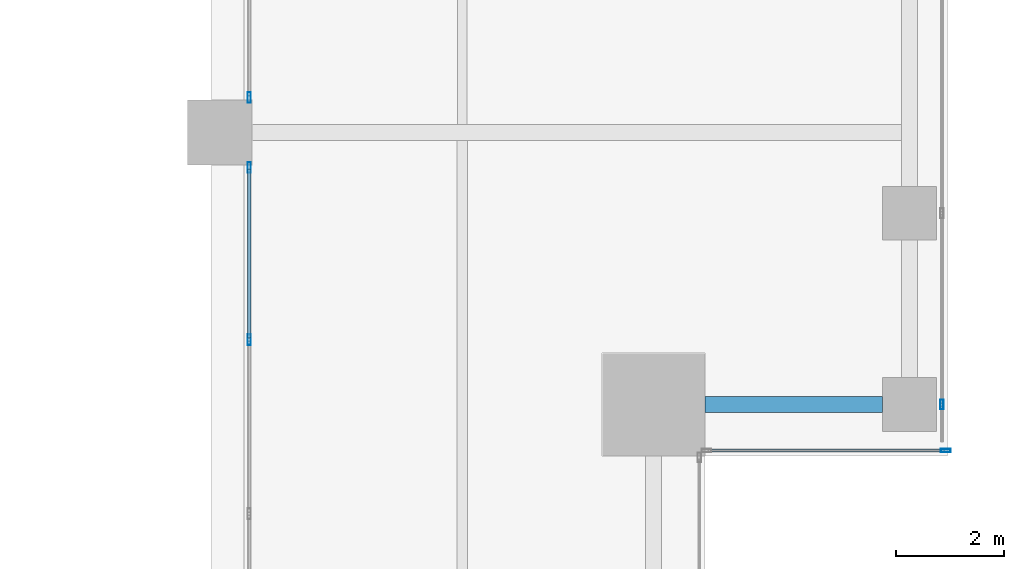
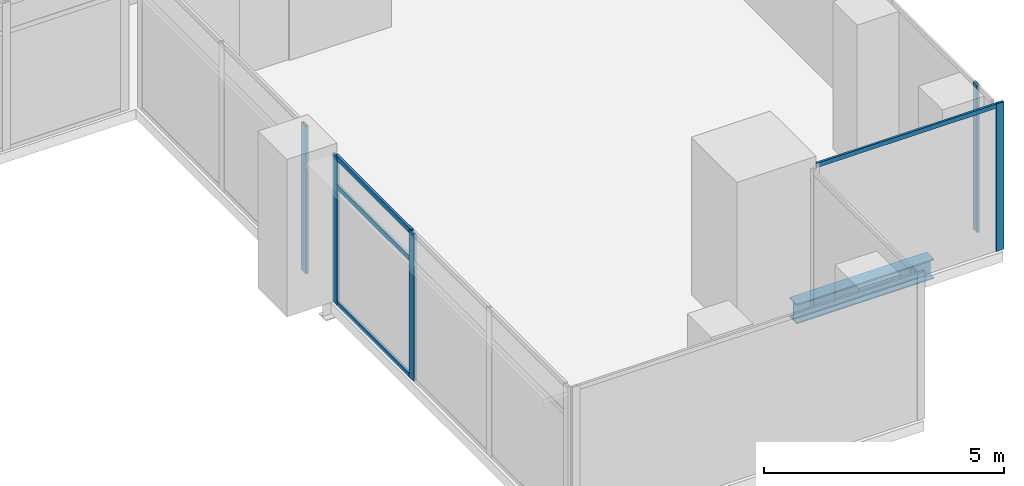
# One storey, part 10 of 37: 9 members, 1 beam, 4 elements without a shape of their own.
"""IFC4 building model written with IfcOpenShell, lengths in metres."""

from ifc_helpers import new_model, si_unit, direction, frame, origin, origin_2d, place, context, subcontext, project, spatial, hollow_rectangle, i_section, extrude, source, transform, mapped, material, material_profile, profile_set, type_object, element, aggregate, save


model = new_model("IFC4")

# Units and contexts
model_context = context("Model", 3, precision=1e-05, world=origin(), true_north=direction((0.0, 1.0)))
body_context = subcontext(model_context, "Body", "Model", "MODEL_VIEW")
ifc_project = project(units=[si_unit("LENGTHUNIT", "METRE"), si_unit("AREAUNIT", "SQUARE_METRE"), si_unit("VOLUMEUNIT", "CUBIC_METRE"), si_unit("PLANEANGLEUNIT", "RADIAN"), si_unit("MASSUNIT", "GRAM", prefix="KILO")], contexts=[model_context])

# Site, building, storey
site_placement = place(None, origin())
site = spatial("IfcSite", under=ifc_project, at=site_placement, CompositionType="ELEMENT")
building_placement = place(site_placement, origin())
building = spatial("IfcBuilding", under=site, at=building_placement, Name="Khomas Fold Tower", CompositionType="ELEMENT")
storey_placement = place(building_placement, frame((0.0, 0.0, 168.699951171875)))
storey = spatial("IfcBuildingStorey", under=building, at=storey_placement, Name="L36", CompositionType="ELEMENT", Elevation=168.699951171875)

# Beam
ifc_material_1 = material(Name="Steel S355", Category="steel")
ifc_material_profile_1 = material_profile(ifc_material_1, i_section(OverallWidth=0.300048828125, OverallDepth=0.5, WebThickness=0.014404296875, FlangeThickness=0.028076171875, at=origin_2d()), Name="HE 500 B")
ifc_profile_set_1 = profile_set([ifc_material_profile_1], Name="Steel S355")
beam_type = type_object("IfcBeamType", Name="HE 500 B spandrel SB3", PredefinedType="SPANDREL", material=ifc_profile_set_1)
shared_shape_1 = source(origin(), body_context, "Body", "SweptSolid", [
    extrude(i_section(OverallWidth=0.300048828125, OverallDepth=0.5, WebThickness=0.014404296875, FlangeThickness=0.028076171875, at=origin_2d()), origin(), (0.0, 0.0, 1.0), 3.300048828125),
])
beam_placement = place(storey_placement, frame((46.5, 8.449951171875, -0.5), z_axis=(1.0, 0.0, 0.0), x_axis=(0.0, 1.0, 0.0)))
element("IfcBeam", 1, at=beam_placement, inside=storey, type_object=beam_type, Name="SB3", PredefinedType="SPANDREL", context=body_context, shape_type="MappedRepresentation", body=[
    mapped(shared_shape_1, transform((0.0, 0.0, 0.0))),
])

# Curtain wall, member
ifc_material_2 = material(Name="Aluminium framed double glazing", Category="aluminium")
curtain_wall_type_1 = type_object("IfcCurtainWallType", Name="SK-Unitised clear-glass wall, office floors CW2", PredefinedType="NOTDEFINED", material=ifc_material_2)
curtain_wall_1_placement = place(storey_placement, origin())
curtain_wall_1 = element("IfcCurtainWall", 2, at=curtain_wall_1_placement, inside=storey, type_object=curtain_wall_type_1, Name="CW2 corner return L36 07", PredefinedType="NOTDEFINED")
ifc_material_3 = material(Name="Aluminium", Category="aluminium")
ifc_material_profile_2 = material_profile(ifc_material_3, hollow_rectangle(XDim=0.06005859375, YDim=0.179931640625, WallThickness=0.00390625, at=origin_2d()), Name="SK-Unitised clear-glass wall, office floors mullion CW2-M")
ifc_profile_set_2 = profile_set([ifc_material_profile_2], Name="Aluminium")
member_type_1 = type_object("IfcMemberType", Name="SK-Unitised clear-glass wall, office floors mullion CW2-M", PredefinedType="MULLION", material=ifc_profile_set_2)
shared_shape_2 = source(origin(), body_context, "Body", "SweptSolid", [
    extrude(hollow_rectangle(XDim=0.06005859375, YDim=0.179931640625, WallThickness=0.00390625, at=origin_2d()), origin(), (0.0, 0.0, 1.0), 3.75),
])
member_1_placement = place(storey_placement, frame((50.969970703125, 7.60009765625, 0.0), z_axis=(0.0, 0.0, 1.0), x_axis=(0.0, 1.0, 0.0)))
member_1 = element("IfcMember", 3, at=member_1_placement, type_object=member_type_1, Name="CW2 mullion 2", PredefinedType="MULLION", context=body_context, shape_type="MappedRepresentation", body=[
    mapped(shared_shape_2, transform((0.0, 0.0, 0.0))),
])

curtain_wall_2_placement = place(storey_placement, origin())
curtain_wall_2 = element("IfcCurtainWall", 4, at=curtain_wall_2_placement, inside=storey, type_object=curtain_wall_type_1, Name="CW2 run L36 08-0", PredefinedType="NOTDEFINED")
member_2_placement = place(storey_placement, frame((50.89990234375, 8.449951171875, 0.0), z_axis=(0.0, 0.0, 1.0), x_axis=(-1.0, 0.0, 0.0)))
member_2 = element("IfcMember", 5, at=member_2_placement, type_object=member_type_1, Name="CW2 mullion 2", PredefinedType="MULLION", context=body_context, shape_type="MappedRepresentation", body=[
    mapped(shared_shape_2, transform((0.0, 0.0, 0.0))),
])
aggregate(curtain_wall_2, [member_2])

# Member
ifc_material_4 = material(Name="Aluminium", Category="aluminium")
ifc_material_profile_3 = material_profile(ifc_material_4, hollow_rectangle(XDim=0.050048828125, YDim=0.110107421875, WallThickness=0.00390625, at=origin_2d()), Name="SK-Unitised clear-glass wall, office floors transom CW2-T")
ifc_profile_set_3 = profile_set([ifc_material_profile_3], Name="Aluminium")
member_type_2 = type_object("IfcMemberType", Name="SK-Unitised clear-glass wall, office floors transom CW2-T", PredefinedType="USERDEFINED", material=ifc_profile_set_3)
shared_shape_3 = source(origin(), body_context, "Body", "SweptSolid", [
    extrude(hollow_rectangle(XDim=0.050048828125, YDim=0.110107421875, WallThickness=0.00390625, at=origin_2d()), origin(), (0.0, 0.0, 1.0), 4.3798828125),
])
member_3_placement = place(storey_placement, frame((46.56005859375, 7.60009765625, 3.695068359375), z_axis=(1.0, 0.0, 0.0), x_axis=(0.0, 1.0, 0.0)))
member_3 = element("IfcMember", 6, at=member_3_placement, type_object=member_type_2, Name="CW2 transom 1", ObjectType="TRANSOM", PredefinedType="USERDEFINED", context=body_context, shape_type="MappedRepresentation", body=[
    mapped(shared_shape_3, transform((0.0, 0.0, 0.0))),
])

aggregate(curtain_wall_1, [member_1, member_3])

# Curtain wall, member
ifc_material_5 = material(Name="Aluminium framed double glazing", Category="aluminium")
curtain_wall_type_2 = type_object("IfcCurtainWallType", Name="Notch glazing GN-CW", PredefinedType="NOTDEFINED", material=ifc_material_5)
curtain_wall_3_placement = place(storey_placement, origin())
curtain_wall_3 = element("IfcCurtainWall", 7, at=curtain_wall_3_placement, inside=storey, type_object=curtain_wall_type_2, Name="Notch glazing run", PredefinedType="NOTDEFINED")
ifc_material_6 = material(Name="Aluminium", Category="aluminium")
ifc_material_profile_4 = material_profile(ifc_material_6, hollow_rectangle(XDim=0.06005859375, YDim=0.199951171875, WallThickness=0.00390625, at=origin_2d()), Name="Notch glazing mullion GN-CW-M")
ifc_profile_set_4 = profile_set([ifc_material_profile_4], Name="Aluminium")
member_type_3 = type_object("IfcMemberType", Name="Notch glazing mullion GN-CW-M", PredefinedType="MULLION", material=ifc_profile_set_4)
shared_shape_4 = source(origin(), body_context, "Body", "SweptSolid", [
    extrude(hollow_rectangle(XDim=0.06005859375, YDim=0.199951171875, WallThickness=0.00390625, at=origin_2d()), origin(), (0.0, 0.0, 1.0), 3.75),
])
member_4_placement = place(storey_placement, frame((38.050048828125, 14.14990234375, 0.0), z_axis=(0.0, 0.0, 1.0), x_axis=(1.0, 0.0, 0.0)))
member_4 = element("IfcMember", 8, at=member_4_placement, type_object=member_type_3, Name="GN-CW mullion 3", PredefinedType="MULLION", context=body_context, shape_type="MappedRepresentation", body=[
    mapped(shared_shape_4, transform((0.0, 0.0, 0.0))),
])
aggregate(curtain_wall_3, [member_4])

# Curtain wall, members
curtain_wall_4_placement = place(storey_placement, origin())
curtain_wall_4 = element("IfcCurtainWall", 9, at=curtain_wall_4_placement, inside=storey, type_object=curtain_wall_type_2, Name="Notch glazing run", PredefinedType="NOTDEFINED")
member_5_placement = place(storey_placement, frame((38.050048828125, 12.85009765625, 0.0), z_axis=(0.0, 0.0, 1.0), x_axis=(1.0, 0.0, 0.0)))
member_5 = element("IfcMember", 10, at=member_5_placement, type_object=member_type_3, Name="GN-CW mullion 1", PredefinedType="MULLION", context=body_context, shape_type="MappedRepresentation", body=[
    mapped(shared_shape_4, transform((0.0, 0.0, 0.0))),
])
member_6_placement = place(storey_placement, frame((38.050048828125, 9.6533203125, 0.0), z_axis=(0.0, 0.0, 1.0), x_axis=(1.0, 0.0, 0.0)))
member_6 = element("IfcMember", 11, at=member_6_placement, type_object=member_type_3, Name="GN-CW mullion 2", PredefinedType="MULLION", context=body_context, shape_type="MappedRepresentation", body=[
    mapped(shared_shape_4, transform((0.0, 0.0, 0.0))),
])
ifc_material_7 = material(Name="Aluminium", Category="aluminium")
ifc_material_profile_5 = material_profile(ifc_material_7, hollow_rectangle(XDim=0.06005859375, YDim=0.1201171875, WallThickness=0.00390625, at=origin_2d()), Name="Notch glazing transom GN-CW-T")
ifc_profile_set_5 = profile_set([ifc_material_profile_5], Name="Aluminium")
member_type_4 = type_object("IfcMemberType", Name="Notch glazing transom GN-CW-T", PredefinedType="USERDEFINED", material=ifc_profile_set_5)
shared_shape_5 = source(origin(), body_context, "Body", "SweptSolid", [
    extrude(hollow_rectangle(XDim=0.06005859375, YDim=0.1201171875, WallThickness=0.00390625, at=origin_2d()), origin(), (0.0, 0.0, 1.0), 3.13671875),
])
member_7_placement = place(storey_placement, frame((38.050048828125, 12.820068359375, 0.030029296875), z_axis=(0.0, -1.0, 0.0), x_axis=(1.0, 0.0, 0.0)))
member_7 = element("IfcMember", 12, at=member_7_placement, type_object=member_type_4, Name="GN-CW transom 1.1", ObjectType="TRANSOM", PredefinedType="USERDEFINED", context=body_context, shape_type="MappedRepresentation", body=[
    mapped(shared_shape_5, transform((0.0, 0.0, 0.0))),
])
member_8_placement = place(storey_placement, frame((38.050048828125, 12.820068359375, 3.0), z_axis=(0.0, -1.0, 0.0), x_axis=(1.0, 0.0, 0.0)))
member_8 = element("IfcMember", 13, at=member_8_placement, type_object=member_type_4, Name="GN-CW transom 1.2", ObjectType="TRANSOM", PredefinedType="USERDEFINED", context=body_context, shape_type="MappedRepresentation", body=[
    mapped(shared_shape_5, transform((0.0, 0.0, 0.0))),
])
member_9_placement = place(storey_placement, frame((38.050048828125, 12.820068359375, 3.719970703125), z_axis=(0.0, -1.0, 0.0), x_axis=(1.0, 0.0, 0.0)))
member_9 = element("IfcMember", 14, at=member_9_placement, type_object=member_type_4, Name="GN-CW transom 1.3", ObjectType="TRANSOM", PredefinedType="USERDEFINED", context=body_context, shape_type="MappedRepresentation", body=[
    mapped(shared_shape_5, transform((0.0, 0.0, 0.0))),
])
aggregate(curtain_wall_4, [member_5, member_6, member_7, member_8, member_9])

save(model, "model.ifc")
